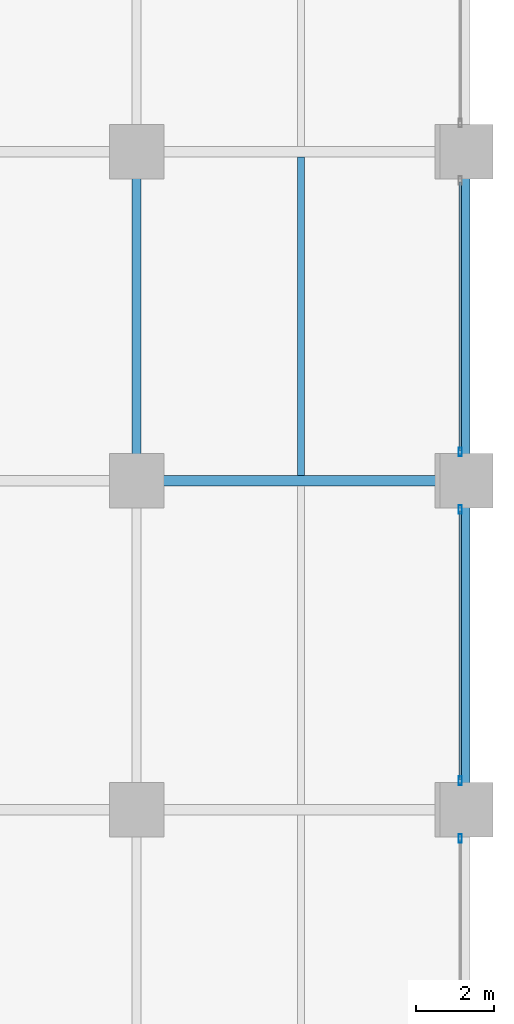
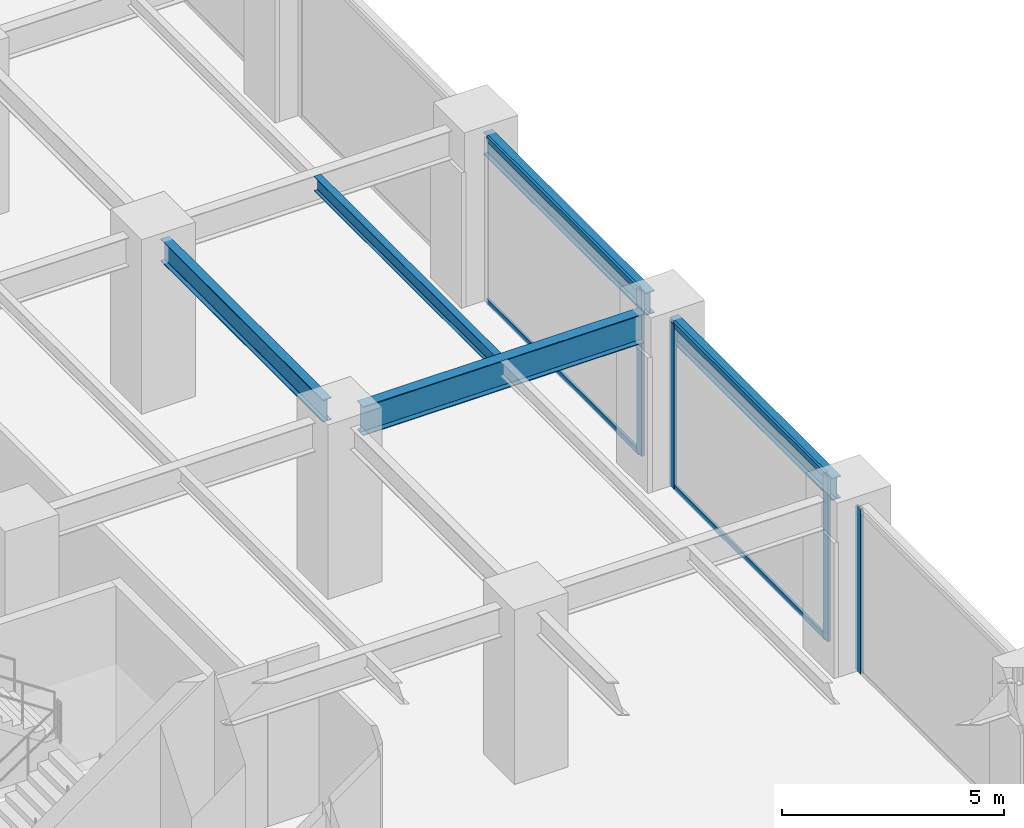
# One storey, part 8 of 24: 8 members, 5 beams, 3 elements without a shape of their own.
"""IFC4 building model written with IfcOpenShell, lengths in metres."""

from ifc_helpers import new_model, si_unit, direction, frame, origin, origin_2d, place, context, subcontext, project, spatial, hollow_rectangle, i_section, extrude, material, layer, layer_set, material_profile, profile_set, type_object, element, aggregate, save


model = new_model("IFC4")

# Units and contexts
model_context = context("Model", 3, precision=1e-05, world=origin(), true_north=direction((0.0, 1.0)))
body_context = subcontext(model_context, "Body", "Model", "MODEL_VIEW")
ifc_project = project(units=[si_unit("LENGTHUNIT", "METRE"), si_unit("AREAUNIT", "SQUARE_METRE"), si_unit("VOLUMEUNIT", "CUBIC_METRE"), si_unit("PLANEANGLEUNIT", "RADIAN"), si_unit("MASSUNIT", "GRAM", prefix="KILO")], contexts=[model_context])

# Site, building, storey
site_placement = place(None, origin())
site = spatial("IfcSite", under=ifc_project, at=site_placement, CompositionType="ELEMENT")
building_placement = place(site_placement, origin())
building = spatial("IfcBuilding", under=site, at=building_placement, Name="Nerrivon Quay Data Exchange", CompositionType="ELEMENT")
storey_placement = place(building_placement, frame((0.0, 0.0, 10.199951171875)))
storey = spatial("IfcBuildingStorey", under=building, at=storey_placement, Name="L02", CompositionType="ELEMENT", Elevation=10.199951171875)

# Beams
ifc_material_1 = material(Name="Steel Grade 350", Category="steel")
ifc_material_profile_1 = material_profile(ifc_material_1, i_section(OverallWidth=0.22900390625, OverallDepth=0.612060546875, WebThickness=0.011962890625, FlangeThickness=0.01953125, FilletRadius=0.013916015625, at=origin_2d()), Name="610UB125")
ifc_profile_set_1 = profile_set([ifc_material_profile_1], Name="Steel Grade 350")
beam_type_1 = type_object("IfcBeamType", Name="BM-G1-610UB125", PredefinedType="BEAM", material=ifc_profile_set_1)
beam_1_placement = place(storey_placement, frame((50.39990234375, 25.739990234375, 4.218994140625), z_axis=(0.0, 1.0, 0.0), x_axis=(-1.0, 0.0, 0.0)))
element("IfcBeam", 1, at=beam_1_placement, inside=storey, type_object=beam_type_1, Name="L02 NS Girder X=50.4 (25.2..33.6)", PredefinedType="BEAM", context=body_context, shape_type="SweptSolid", body=[
    extrude(i_section(OverallWidth=0.22900390625, OverallDepth=0.612060546875, WebThickness=0.011962890625, FlangeThickness=0.01953125, FilletRadius=0.013916015625, at=origin_2d()), origin(), (0.0, 0.0, 1.0), 7.320068359375),
])
beam_2_placement = place(storey_placement, frame((58.800048828125, 17.340087890625, 4.218994140625), z_axis=(0.0, 1.0, 0.0), x_axis=(-1.0, 0.0, 0.0)))
element("IfcBeam", 2, at=beam_2_placement, inside=storey, type_object=beam_type_1, Name="L02 NS Girder X=58.8 (16.8..25.2)", PredefinedType="BEAM", context=body_context, shape_type="SweptSolid", body=[
    extrude(i_section(OverallWidth=0.22900390625, OverallDepth=0.612060546875, WebThickness=0.011962890625, FlangeThickness=0.01953125, FilletRadius=0.013916015625, at=origin_2d()), origin(), (0.0, 0.0, 1.0), 7.31982421875),
])
beam_3_placement = place(storey_placement, frame((58.800048828125, 25.739990234375, 4.218994140625), z_axis=(0.0, 1.0, 0.0), x_axis=(-1.0, 0.0, 0.0)))
element("IfcBeam", 3, at=beam_3_placement, inside=storey, type_object=beam_type_1, Name="L02 NS Girder X=58.8 (25.2..33.6)", PredefinedType="BEAM", context=body_context, shape_type="SweptSolid", body=[
    extrude(i_section(OverallWidth=0.22900390625, OverallDepth=0.612060546875, WebThickness=0.011962890625, FlangeThickness=0.01953125, FilletRadius=0.013916015625, at=origin_2d()), origin(), (0.0, 0.0, 1.0), 7.320068359375),
])
ifc_material_profile_2 = material_profile(ifc_material_1, i_section(OverallWidth=0.27490234375, OverallDepth=0.800048828125, WebThickness=0.010009765625, FlangeThickness=0.02001953125, at=origin_2d()), Name="800WB146")
ifc_profile_set_2 = profile_set([ifc_material_profile_2], Name="Steel Grade 350")
beam_type_2 = type_object("IfcBeamType", Name="BM-G8-800WB146", PredefinedType="BEAM", material=ifc_profile_set_2)
beam_4_placement = place(storey_placement, frame((50.93994140625, 25.199951171875, 4.125), z_axis=(1.0, 0.0, 0.0), x_axis=(0.0, 1.0, 0.0)))
element("IfcBeam", 4, at=beam_4_placement, inside=storey, type_object=beam_type_2, Name="L02 EW Girder Y=25.2 (50.4..58.8)", PredefinedType="BEAM", context=body_context, shape_type="SweptSolid", body=[
    extrude(i_section(OverallWidth=0.27490234375, OverallDepth=0.800048828125, WebThickness=0.010009765625, FlangeThickness=0.02001953125, at=origin_2d()), origin(), (0.0, 0.0, 1.0), 7.320068359375),
])
ifc_material_profile_3 = material_profile(ifc_material_1, i_section(OverallWidth=0.177978515625, OverallDepth=0.403076171875, WebThickness=0.007568359375, FlangeThickness=0.010986328125, FilletRadius=0.011474609375, at=origin_2d()), Name="410UB53.7")
ifc_profile_set_3 = profile_set([ifc_material_profile_3], Name="Steel Grade 350")
beam_type_3 = type_object("IfcBeamType", Name="BM-J2-410UB54", PredefinedType="JOIST", material=ifc_profile_set_3)
beam_5_placement = place(storey_placement, frame((54.60009765625, 25.33740234375, 4.323486328125), z_axis=(0.0, 1.0, 0.0), x_axis=(-1.0, 0.0, 0.0)))
element("IfcBeam", 5, at=beam_5_placement, inside=storey, type_object=beam_type_3, Name="L02 Secondary Joist X=54.6 (25.2..33.6)", PredefinedType="JOIST", context=body_context, shape_type="SweptSolid", body=[
    extrude(i_section(OverallWidth=0.177978515625, OverallDepth=0.403076171875, WebThickness=0.007568359375, FlangeThickness=0.010986328125, FilletRadius=0.011474609375, at=origin_2d()), origin(), (0.0, 0.0, 1.0), 8.125),
])

# Curtain wall, member
ifc_material_2 = material(Name="Anodised aluminium 6063-T6", Category="aluminium")
ifc_layer = layer(ifc_material_2, 0.239990234375)
ifc_layer_set = layer_set([ifc_layer], Name="Anodised aluminium 6063-T6")
curtain_wall_type = type_object("IfcCurtainWallType", Name="CW-SYS-03", PredefinedType="NOTDEFINED", material=ifc_layer_set)
curtain_wall_1_placement = place(storey_placement, origin())
curtain_wall_1 = element("IfcCurtainWall", 6, at=curtain_wall_1_placement, inside=storey, type_object=curtain_wall_type, Name="L02 Unitised Curtain Wall 16", PredefinedType="NOTDEFINED")
ifc_material_profile_4 = material_profile(ifc_material_2, hollow_rectangle(XDim=0.074951171875, YDim=0.219970703125, WallThickness=0.00390625, at=origin_2d()), Name="ALU-MULL-220x75")
ifc_profile_set_4 = profile_set([ifc_material_profile_4], Name="Anodised aluminium 6063-T6")
member_type_1 = type_object("IfcMemberType", Name="CWM-220x75", PredefinedType="MULLION", material=ifc_profile_set_4)
member_1_placement = place(storey_placement, frame((58.659912109375, 25.9375, 0.0), z_axis=(0.0, 0.0, 1.0), x_axis=(1.0, 0.0, 0.0)))
member_1 = element("IfcMember", 7, at=member_1_placement, type_object=member_type_1, Name="CW03 mullion 2", PredefinedType="MULLION", context=body_context, shape_type="SweptSolid", body=[
    extrude(hollow_rectangle(XDim=0.074951171875, YDim=0.219970703125, WallThickness=0.00390625, at=origin_2d()), origin(), (0.0, 0.0, 1.0), 4.525146484375),
])

# Curtain wall, members
curtain_wall_2_placement = place(storey_placement, origin())
curtain_wall_2 = element("IfcCurtainWall", 8, at=curtain_wall_2_placement, inside=storey, type_object=curtain_wall_type, Name="L02 Unitised Curtain Wall 17", PredefinedType="NOTDEFINED")
member_2_placement = place(storey_placement, frame((58.659912109375, 24.46240234375, 0.0), z_axis=(0.0, 0.0, 1.0), x_axis=(1.0, 0.0, 0.0)))
member_2 = element("IfcMember", 9, at=member_2_placement, type_object=member_type_1, Name="CW03 mullion 1", PredefinedType="MULLION", context=body_context, shape_type="SweptSolid", body=[
    extrude(hollow_rectangle(XDim=0.074951171875, YDim=0.219970703125, WallThickness=0.00390625, at=origin_2d()), origin(), (0.0, 0.0, 1.0), 4.525146484375),
])
member_3_placement = place(storey_placement, frame((58.659912109375, 17.53759765625, 0.0), z_axis=(0.0, 0.0, 1.0), x_axis=(1.0, 0.0, 0.0)))
member_3 = element("IfcMember", 10, at=member_3_placement, type_object=member_type_1, Name="CW03 mullion 2", PredefinedType="MULLION", context=body_context, shape_type="SweptSolid", body=[
    extrude(hollow_rectangle(XDim=0.074951171875, YDim=0.219970703125, WallThickness=0.00390625, at=origin_2d()), origin(), (0.0, 0.0, 1.0), 4.525146484375),
])

# Curtain wall, member
curtain_wall_3_placement = place(storey_placement, origin())
curtain_wall_3 = element("IfcCurtainWall", 11, at=curtain_wall_3_placement, inside=storey, type_object=curtain_wall_type, Name="L02 Unitised Curtain Wall 18", PredefinedType="NOTDEFINED")
member_4_placement = place(storey_placement, frame((58.659912109375, 16.0625, 0.0), z_axis=(0.0, 0.0, 1.0), x_axis=(1.0, 0.0, 0.0)))
member_4 = element("IfcMember", 12, at=member_4_placement, type_object=member_type_1, Name="CW03 mullion 1", PredefinedType="MULLION", context=body_context, shape_type="SweptSolid", body=[
    extrude(hollow_rectangle(XDim=0.074951171875, YDim=0.219970703125, WallThickness=0.00390625, at=origin_2d()), origin(), (0.0, 0.0, 1.0), 4.525146484375),
])
aggregate(curtain_wall_3, [member_4])

# Member
ifc_material_profile_5 = material_profile(ifc_material_2, hollow_rectangle(XDim=0.06494140625, YDim=0.14990234375, WallThickness=0.00341796875, at=origin_2d()), Name="ALU-TRAN-150x65")
ifc_profile_set_5 = profile_set([ifc_material_profile_5], Name="Anodised aluminium 6063-T6")
member_type_2 = type_object("IfcMemberType", Name="CWT-150x65", PredefinedType="USERDEFINED", material=ifc_profile_set_5)
member_5_placement = place(storey_placement, frame((58.659912109375, 32.824951171875, 0.032470703125), z_axis=(0.0, -1.0, 0.0), x_axis=(1.0, 0.0, 0.0)))
member_5 = element("IfcMember", 13, at=member_5_placement, type_object=member_type_2, Name="CW03 transom 1.1", ObjectType="TRANSOM", PredefinedType="USERDEFINED", context=body_context, shape_type="SweptSolid", body=[
    extrude(hollow_rectangle(XDim=0.06494140625, YDim=0.14990234375, WallThickness=0.00341796875, at=origin_2d()), origin(), (0.0, 0.0, 1.0), 6.849853515625),
])

member_6_placement = place(storey_placement, frame((58.659912109375, 32.824951171875, 4.492431640625), z_axis=(0.0, -1.0, 0.0), x_axis=(1.0, 0.0, 0.0)))
member_6 = element("IfcMember", 14, at=member_6_placement, type_object=member_type_2, Name="CW03 transom 1.2", ObjectType="TRANSOM", PredefinedType="USERDEFINED", context=body_context, shape_type="SweptSolid", body=[
    extrude(hollow_rectangle(XDim=0.06494140625, YDim=0.14990234375, WallThickness=0.00341796875, at=origin_2d()), origin(), (0.0, 0.0, 1.0), 6.849853515625),
])

aggregate(curtain_wall_1, [member_1, member_5, member_6])

member_7_placement = place(storey_placement, frame((58.659912109375, 24.425048828125, 0.032470703125), z_axis=(0.0, -1.0, 0.0), x_axis=(1.0, 0.0, 0.0)))
member_7 = element("IfcMember", 15, at=member_7_placement, type_object=member_type_2, Name="CW03 transom 1.1", ObjectType="TRANSOM", PredefinedType="USERDEFINED", context=body_context, shape_type="SweptSolid", body=[
    extrude(hollow_rectangle(XDim=0.06494140625, YDim=0.14990234375, WallThickness=0.00341796875, at=origin_2d()), origin(), (0.0, 0.0, 1.0), 6.85009765625),
])

member_8_placement = place(storey_placement, frame((58.659912109375, 24.425048828125, 4.492431640625), z_axis=(0.0, -1.0, 0.0), x_axis=(1.0, 0.0, 0.0)))
member_8 = element("IfcMember", 16, at=member_8_placement, type_object=member_type_2, Name="CW03 transom 1.2", ObjectType="TRANSOM", PredefinedType="USERDEFINED", context=body_context, shape_type="SweptSolid", body=[
    extrude(hollow_rectangle(XDim=0.06494140625, YDim=0.14990234375, WallThickness=0.00341796875, at=origin_2d()), origin(), (0.0, 0.0, 1.0), 6.85009765625),
])

aggregate(curtain_wall_2, [member_2, member_3, member_7, member_8])

save(model, "model.ifc")
